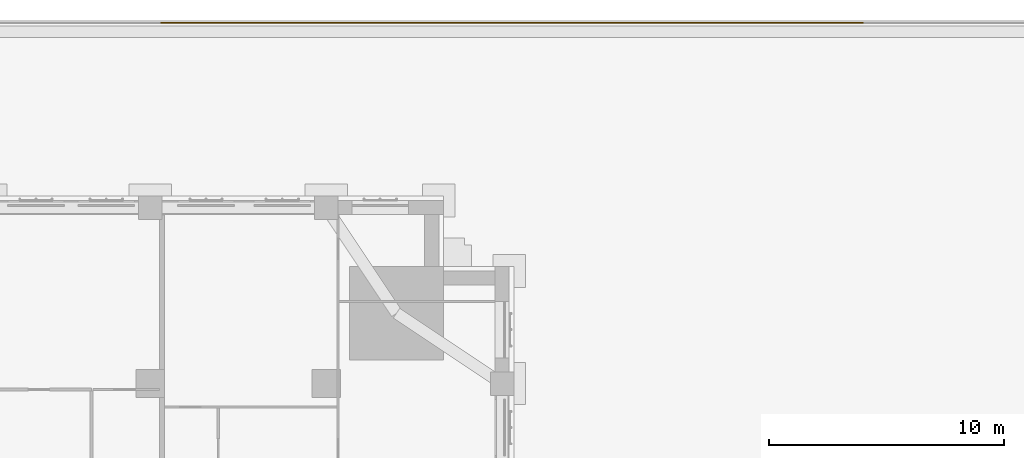
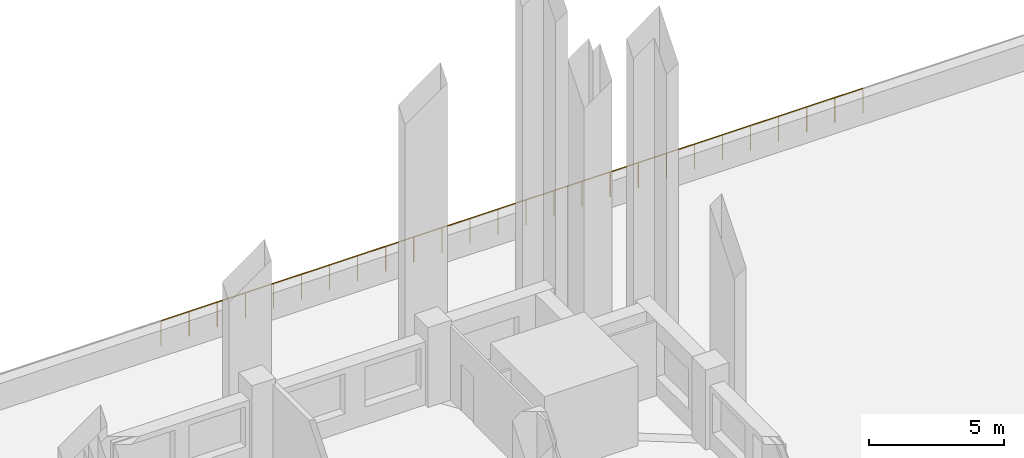
# One storey, part 27 of 27: 1 railing.
"""IFC4 building model written with IfcOpenShell, lengths in metres."""

from ifc_helpers import new_model, si_unit, direction, frame, origin, origin_2d, place, context, subcontext, project, spatial, circle, extrude, material, type_object, element, save


model = new_model("IFC4")

# Units and contexts
model_context = context("Model", 3, precision=1e-05, world=origin(), true_north=direction((0.0, 1.0)))
body_context = subcontext(model_context, "Body", "Model", "MODEL_VIEW")
ifc_project = project(units=[si_unit("LENGTHUNIT", "METRE"), si_unit("AREAUNIT", "SQUARE_METRE"), si_unit("VOLUMEUNIT", "CUBIC_METRE"), si_unit("PLANEANGLEUNIT", "RADIAN"), si_unit("MASSUNIT", "GRAM", prefix="KILO")], contexts=[model_context])

# Site, building, storey
site_placement = place(None, origin())
site = spatial("IfcSite", under=ifc_project, at=site_placement, CompositionType="ELEMENT")
building_placement = place(site_placement, origin())
building = spatial("IfcBuilding", under=site, at=building_placement, Name="Tamorin Gate", CompositionType="ELEMENT")
storey_placement = place(building_placement, frame((0.0, 0.0, 34.0)))
storey = spatial("IfcBuildingStorey", under=building, at=storey_placement, Name="L06", CompositionType="ELEMENT", Elevation=34.0)

# Railing
ifc_material = material(Name="Stainless steel", Category="steel")
railing_type = type_object("IfcRailingType", Name="Terrace guard 1150", PredefinedType="GUARDRAIL", material=ifc_material)
railing_placement = place(storey_placement, frame((74.9599609375, 112.3798828125, 0.0)))
element("IfcRailing", 1, at=railing_placement, inside=storey, type_object=railing_type, Name="Terrace guard", PredefinedType="GUARDRAIL", context=body_context, shape_type="SweptSolid", body=[
    extrude(circle(Radius=0.02392578125, at=origin_2d()), frame((0.0, 0.0, 1.1259765625), z_axis=(1.0, 0.0, 0.0), x_axis=(0.0, 1.0, 0.0)), (0.0, 0.0, 1.0), 29.919921875),
    extrude(circle(Radius=0.02099609375, at=origin_2d()), origin(), (0.0, 0.0, 1.0), 1.101806640625),
    extrude(circle(Radius=0.02099609375, at=origin_2d()), frame((1.19677734375, 0.0, 0.0)), (0.0, 0.0, 1.0), 1.101806640625),
    extrude(circle(Radius=0.02099609375, at=origin_2d()), frame((2.3935546875, 0.0, 0.0)), (0.0, 0.0, 1.0), 1.101806640625),
    extrude(circle(Radius=0.02099609375, at=origin_2d()), frame((3.59033203125, 0.0, 0.0)), (0.0, 0.0, 1.0), 1.101806640625),
    extrude(circle(Radius=0.02099609375, at=origin_2d()), frame((4.787109375, 0.0, 0.0)), (0.0, 0.0, 1.0), 1.101806640625),
    extrude(circle(Radius=0.02099609375, at=origin_2d()), frame((5.98388671875, 0.0, 0.0)), (0.0, 0.0, 1.0), 1.101806640625),
    extrude(circle(Radius=0.02099609375, at=origin_2d()), frame((7.1806640625, 0.0, 0.0)), (0.0, 0.0, 1.0), 1.101806640625),
    extrude(circle(Radius=0.02099609375, at=origin_2d()), frame((8.377685546875, 0.0, 0.0)), (0.0, 0.0, 1.0), 1.101806640625),
    extrude(circle(Radius=0.02099609375, at=origin_2d()), frame((9.574462890625, 0.0, 0.0)), (0.0, 0.0, 1.0), 1.101806640625),
    extrude(circle(Radius=0.02099609375, at=origin_2d()), frame((10.771240234375, 0.0, 0.0)), (0.0, 0.0, 1.0), 1.101806640625),
    extrude(circle(Radius=0.02099609375, at=origin_2d()), frame((11.968017578125, 0.0, 0.0)), (0.0, 0.0, 1.0), 1.101806640625),
    extrude(circle(Radius=0.02099609375, at=origin_2d()), frame((13.164794921875, 0.0, 0.0)), (0.0, 0.0, 1.0), 1.101806640625),
    extrude(circle(Radius=0.02099609375, at=origin_2d()), frame((14.361572265625, 0.0, 0.0)), (0.0, 0.0, 1.0), 1.101806640625),
    extrude(circle(Radius=0.02099609375, at=origin_2d()), frame((15.558349609375, 0.0, 0.0)), (0.0, 0.0, 1.0), 1.101806640625),
    extrude(circle(Radius=0.02099609375, at=origin_2d()), frame((16.755126953125, 0.0, 0.0)), (0.0, 0.0, 1.0), 1.101806640625),
    extrude(circle(Radius=0.02099609375, at=origin_2d()), frame((17.951904296875, 0.0, 0.0)), (0.0, 0.0, 1.0), 1.101806640625),
    extrude(circle(Radius=0.02099609375, at=origin_2d()), frame((19.148681640625, 0.0, 0.0)), (0.0, 0.0, 1.0), 1.101806640625),
    extrude(circle(Radius=0.02099609375, at=origin_2d()), frame((20.345458984375, 0.0, 0.0)), (0.0, 0.0, 1.0), 1.101806640625),
    extrude(circle(Radius=0.02099609375, at=origin_2d()), frame((21.542236328125, 0.0, 0.0)), (0.0, 0.0, 1.0), 1.101806640625),
    extrude(circle(Radius=0.02099609375, at=origin_2d()), frame((22.7392578125, 0.0, 0.0)), (0.0, 0.0, 1.0), 1.101806640625),
    extrude(circle(Radius=0.02099609375, at=origin_2d()), frame((23.93603515625, 0.0, 0.0)), (0.0, 0.0, 1.0), 1.101806640625),
    extrude(circle(Radius=0.02099609375, at=origin_2d()), frame((25.1328125, 0.0, 0.0)), (0.0, 0.0, 1.0), 1.101806640625),
    extrude(circle(Radius=0.02099609375, at=origin_2d()), frame((26.32958984375, 0.0, 0.0)), (0.0, 0.0, 1.0), 1.101806640625),
    extrude(circle(Radius=0.02099609375, at=origin_2d()), frame((27.5263671875, 0.0, 0.0)), (0.0, 0.0, 1.0), 1.101806640625),
    extrude(circle(Radius=0.02099609375, at=origin_2d()), frame((28.72314453125, 0.0, 0.0)), (0.0, 0.0, 1.0), 1.101806640625),
    extrude(circle(Radius=0.02099609375, at=origin_2d()), frame((29.919921875, 0.0, 0.0)), (0.0, 0.0, 1.0), 1.101806640625),
])

save(model, "model.ifc")
